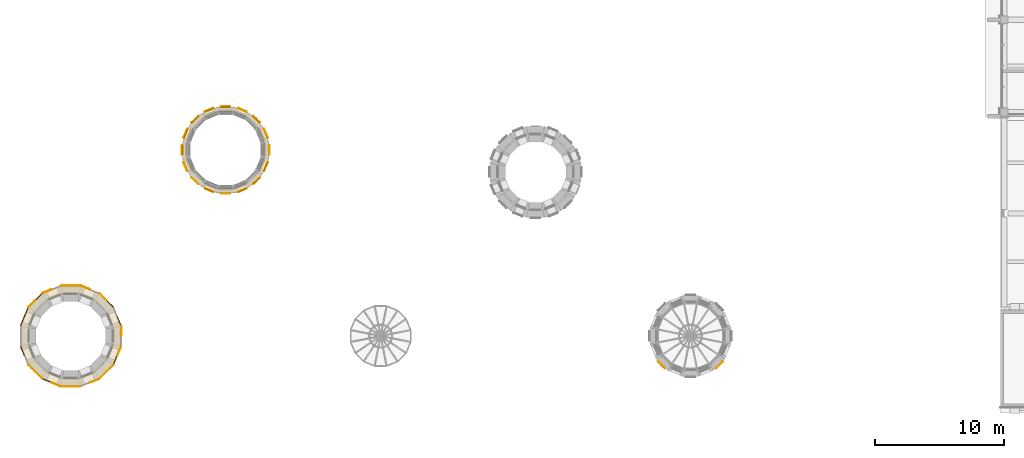
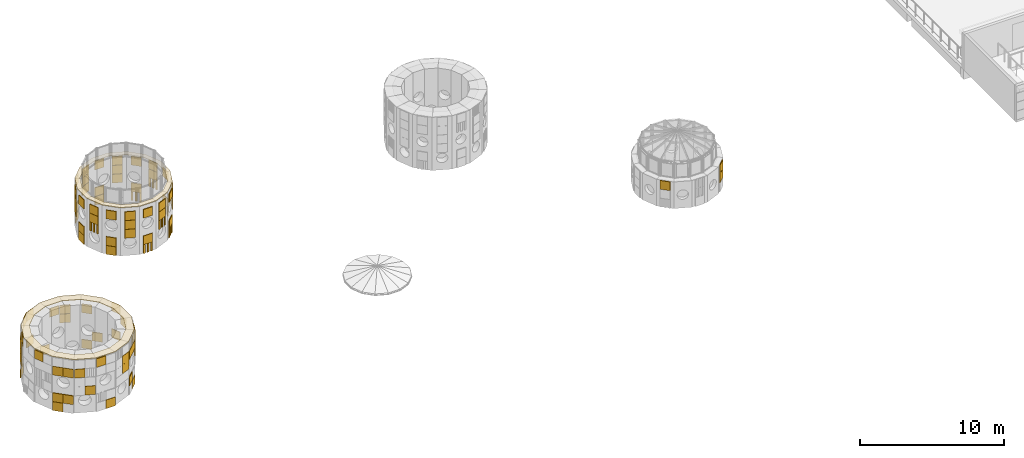
# One storey, part 35 of 42: 12 coverings.
"""IFC4 building model written with IfcOpenShell, lengths in metres."""

from ifc_helpers import new_model, si_unit, direction, frame, origin, origin_2d, place, context, subcontext, project, spatial, polyline, rectangle, outline, extrude, material, layer, layer_set, type_object, element, save


model = new_model("IFC4")

# Units and contexts
model_context = context("Model", 3, precision=1e-05, world=origin(), true_north=direction((0.0, 1.0)))
body_context = subcontext(model_context, "Body", "Model", "MODEL_VIEW")
ifc_project = project(units=[si_unit("LENGTHUNIT", "METRE"), si_unit("AREAUNIT", "SQUARE_METRE"), si_unit("VOLUMEUNIT", "CUBIC_METRE"), si_unit("PLANEANGLEUNIT", "RADIAN"), si_unit("MASSUNIT", "GRAM", prefix="KILO")], contexts=[model_context])

# Site, building, storey
site_placement = place(None, origin())
site = spatial("IfcSite", under=ifc_project, at=site_placement, CompositionType="ELEMENT")
building_placement = place(site_placement, origin())
building = spatial("IfcBuilding", under=site, at=building_placement, Name="Sun Court Science Centre", CompositionType="ELEMENT")
storey_placement = place(building_placement, frame((0.0, 0.0, 20.25)))
storey = spatial("IfcBuildingStorey", under=building, at=storey_placement, Name="L04", CompositionType="ELEMENT", Elevation=20.25)

# Coverings
ifc_material_1 = material(Name="Red sandstone", Category="masonry")
ifc_layer_1 = layer(ifc_material_1, 0.050048828125)
ifc_layer_set_1 = layer_set([ifc_layer_1], Name="Red sandstone")
covering_type_1 = type_object("IfcCoveringType", Name="Red sandstone coping 50", PredefinedType="CLADDING", material=ifc_layer_set_1)
covering_1_placement = place(storey_placement, frame((0.0, 0.0, 4.199951171875)))
element("IfcCovering", 1, at=covering_1_placement, inside=storey, type_object=covering_type_1, Name="Sandstone coping of drum ledge cone 1 5", PredefinedType="CLADDING", context=body_context, shape_type="SweptSolid", body=[
    extrude(outline(polyline([(9.8740234375, 12.2705078125), (9.284423828125, 13.694580078125), (8.194580078125, 14.784423828125), (6.7705078125, 15.3740234375), (5.2294921875, 15.3740234375), (3.805419921875, 14.784423828125), (2.715576171875, 13.694580078125), (2.1259765625, 12.2705078125), (2.1259765625, 10.7294921875), (2.715576171875, 9.305419921875), (3.805419921875, 8.215576171875), (5.2294921875, 7.6259765625), (6.7705078125, 7.6259765625), (8.194580078125, 8.215576171875), (9.284423828125, 9.305419921875), (9.8740234375, 10.7294921875), (9.8740234375, 12.2705078125)]), holes=[polyline([(9.28564453125, 12.153564453125), (8.785400390625, 13.361083984375), (7.861083984375, 14.285400390625), (6.653564453125, 14.78564453125), (5.346435546875, 14.78564453125), (4.138916015625, 14.285400390625), (3.214599609375, 13.361083984375), (2.71435546875, 12.153564453125), (2.71435546875, 10.846435546875), (3.214599609375, 9.638916015625), (4.138916015625, 8.714599609375), (5.346435546875, 8.21435546875), (6.653564453125, 8.21435546875), (7.861083984375, 8.714599609375), (8.785400390625, 9.638916015625), (9.28564453125, 10.846435546875), (9.28564453125, 12.153564453125)])]), origin(), (0.0, 0.0, 1.0), 0.050048828125),
])
covering_2_placement = place(storey_placement, frame((0.0, 0.0, 3.75)))
element("IfcCovering", 2, at=covering_2_placement, inside=storey, type_object=covering_type_1, Name="Sandstone coping of drum top cone 2", PredefinedType="CLADDING", context=body_context, shape_type="SweptSolid", body=[
    extrude(outline(polyline([(21.334716796875, 26.563232421875), (20.826904296875, 27.788818359375), (19.888916015625, 28.72705078125), (18.663330078125, 29.234619140625), (17.336669921875, 29.234619140625), (16.111083984375, 28.72705078125), (15.173095703125, 27.788818359375), (14.665283203125, 26.563232421875), (14.665283203125, 25.236572265625), (15.173095703125, 24.010986328125), (16.111083984375, 23.072998046875), (17.336669921875, 22.5654296875), (18.663330078125, 22.5654296875), (19.888916015625, 23.072998046875), (20.826904296875, 24.010986328125), (21.334716796875, 25.236572265625), (21.334716796875, 26.563232421875)]), holes=[polyline([(20.97998046875, 26.49267578125), (20.526123046875, 27.587890625), (19.68798828125, 28.42626953125), (18.5927734375, 28.8798828125), (17.4072265625, 28.8798828125), (16.31201171875, 28.42626953125), (15.473876953125, 27.587890625), (15.02001953125, 26.49267578125), (15.02001953125, 25.307373046875), (15.473876953125, 24.212158203125), (16.31201171875, 23.373779296875), (17.4072265625, 22.920166015625), (18.5927734375, 22.920166015625), (19.68798828125, 23.373779296875), (20.526123046875, 24.212158203125), (20.97998046875, 25.307373046875), (20.97998046875, 26.49267578125)])]), origin(), (0.0, 0.0, 1.0), 0.050048828125),
])
ifc_material_2 = material(Name="Terracotta jali", Category="masonry")
ifc_layer_2 = layer(ifc_material_2, 0.06005859375)
ifc_layer_set_2 = layer_set([ifc_layer_2], Name="Terracotta jali")
covering_type_2 = type_object("IfcCoveringType", Name="Terracotta open jali panel", PredefinedType="CLADDING", material=ifc_layer_set_2)
covering_3_placement = place(storey_placement, frame((0.0, 0.0, -20.25)))
element("IfcCovering", 3, at=covering_3_placement, inside=storey, type_object=covering_type_2, Name="Open jali pixel cladding cone 2 L04", PredefinedType="CLADDING", context=body_context, shape_type="SweptSolid", body=[
    extrude(rectangle(XDim=0.139892578125, YDim=0.06005859375, at=origin_2d()), frame((20.99365234375, 27.46484375, 21.455078125), z_axis=(0.0, 0.0, 1.0), x_axis=(0.382683432365, -0.923879532511, 0.0)), (0.0, 0.0, 1.0), 0.739990234375),
    extrude(rectangle(XDim=0.139892578125, YDim=0.06005859375, at=origin_2d()), frame((21.108642578125, 27.1875, 21.455078125), z_axis=(0.0, 0.0, 1.0), x_axis=(0.382683432365, -0.923879532511, 0.0)), (0.0, 0.0, 1.0), 0.739990234375),
    extrude(rectangle(XDim=0.139892578125, YDim=0.06005859375, at=origin_2d()), frame((21.223388671875, 26.910400390625, 21.455078125), z_axis=(0.0, 0.0, 1.0), x_axis=(0.382683432365, -0.923879532511, 0.0)), (0.0, 0.0, 1.0), 0.739990234375),
    extrude(rectangle(XDim=0.139892578125, YDim=0.06005859375, at=origin_2d()), frame((20.1669921875, 28.4912109375, 19.955078125), z_axis=(0.0, 0.0, 1.0), x_axis=(0.707106781187, -0.707106781187, 0.0)), (0.0, 0.0, 1.0), 0.739990234375),
    extrude(rectangle(XDim=0.139892578125, YDim=0.06005859375, at=origin_2d()), frame((20.379150390625, 28.279296875, 19.955078125), z_axis=(0.0, 0.0, 1.0), x_axis=(0.707106781187, -0.707106781187, 0.0)), (0.0, 0.0, 1.0), 0.739990234375),
    extrude(rectangle(XDim=0.139892578125, YDim=0.06005859375, at=origin_2d()), frame((20.59130859375, 28.067138671875, 19.955078125), z_axis=(0.0, 0.0, 1.0), x_axis=(0.707106781187, -0.707106781187, 0.0)), (0.0, 0.0, 1.0), 0.739990234375),
    extrude(rectangle(XDim=0.139892578125, YDim=0.06005859375, at=origin_2d()), frame((15.00634765625, 24.335205078125, 21.455078125), z_axis=(0.0, 0.0, 1.0), x_axis=(-0.382683432365, 0.923879532511, 0.0)), (0.0, 0.0, 1.0), 0.739990234375),
    extrude(rectangle(XDim=0.139892578125, YDim=0.06005859375, at=origin_2d()), frame((14.891357421875, 24.6123046875, 21.455078125), z_axis=(0.0, 0.0, 1.0), x_axis=(-0.382683432365, 0.923879532511, 0.0)), (0.0, 0.0, 1.0), 0.739990234375),
    extrude(rectangle(XDim=0.139892578125, YDim=0.06005859375, at=origin_2d()), frame((14.776611328125, 24.8896484375, 21.455078125), z_axis=(0.0, 0.0, 1.0), x_axis=(-0.382683432365, 0.923879532511, 0.0)), (0.0, 0.0, 1.0), 0.739990234375),
    extrude(rectangle(XDim=0.139892578125, YDim=0.06005859375, at=origin_2d()), frame((18.300048828125, 22.535400390625, 19.955078125), z_axis=(0.0, 0.0, 1.0), x_axis=(-1.0, 0.0, 0.0)), (0.0, 0.0, 1.0), 0.739990234375),
    extrude(rectangle(XDim=0.139892578125, YDim=0.06005859375, at=origin_2d()), frame((18.0, 22.535400390625, 19.955078125), z_axis=(0.0, 0.0, 1.0), x_axis=(-1.0, 0.0, 0.0)), (0.0, 0.0, 1.0), 0.739990234375),
    extrude(rectangle(XDim=0.139892578125, YDim=0.06005859375, at=origin_2d()), frame((17.699951171875, 22.535400390625, 19.955078125), z_axis=(0.0, 0.0, 1.0), x_axis=(-1.0, 0.0, 0.0)), (0.0, 0.0, 1.0), 0.739990234375),
    extrude(rectangle(XDim=0.139892578125, YDim=0.06005859375, at=origin_2d()), frame((19.564697265625, 22.90625, 21.455078125), z_axis=(0.0, 0.0, 1.0), x_axis=(-0.923879532511, -0.382683432365, 0.0)), (0.0, 0.0, 1.0), 0.739990234375),
    extrude(rectangle(XDim=0.139892578125, YDim=0.06005859375, at=origin_2d()), frame((19.28759765625, 22.79150390625, 21.455078125), z_axis=(0.0, 0.0, 1.0), x_axis=(-0.923879532511, -0.382683432365, 0.0)), (0.0, 0.0, 1.0), 0.739990234375),
    extrude(rectangle(XDim=0.139892578125, YDim=0.06005859375, at=origin_2d()), frame((19.010498046875, 22.6767578125, 21.455078125), z_axis=(0.0, 0.0, 1.0), x_axis=(-0.923879532511, -0.382683432365, 0.0)), (0.0, 0.0, 1.0), 0.739990234375),
    extrude(rectangle(XDim=0.139892578125, YDim=0.06005859375, at=origin_2d()), frame((20.59130859375, 23.73291015625, 19.955078125), z_axis=(0.0, 0.0, 1.0), x_axis=(-0.707106781187, -0.707106781187, 0.0)), (0.0, 0.0, 1.0), 0.739990234375),
    extrude(rectangle(XDim=0.139892578125, YDim=0.06005859375, at=origin_2d()), frame((20.379150390625, 23.520751953125, 19.955078125), z_axis=(0.0, 0.0, 1.0), x_axis=(-0.707106781187, -0.707106781187, 0.0)), (0.0, 0.0, 1.0), 0.739990234375),
    extrude(rectangle(XDim=0.139892578125, YDim=0.06005859375, at=origin_2d()), frame((20.1669921875, 23.30859375, 19.955078125), z_axis=(0.0, 0.0, 1.0), x_axis=(-0.707106781187, -0.707106781187, 0.0)), (0.0, 0.0, 1.0), 0.739990234375),
    extrude(rectangle(XDim=0.139892578125, YDim=0.06005859375, at=origin_2d()), frame((21.36474609375, 26.199951171875, 19.955078125), z_axis=(0.0, 0.0, 1.0), x_axis=(0.0, -1.0, 0.0)), (0.0, 0.0, 1.0), 0.739990234375),
    extrude(rectangle(XDim=0.139892578125, YDim=0.06005859375, at=origin_2d()), frame((21.36474609375, 25.89990234375, 19.955078125), z_axis=(0.0, 0.0, 1.0), x_axis=(0.0, -1.0, 0.0)), (0.0, 0.0, 1.0), 0.739990234375),
    extrude(rectangle(XDim=0.139892578125, YDim=0.06005859375, at=origin_2d()), frame((21.36474609375, 25.60009765625, 19.955078125), z_axis=(0.0, 0.0, 1.0), x_axis=(0.0, -1.0, 0.0)), (0.0, 0.0, 1.0), 0.739990234375),
])
ifc_material_3 = material(Name="Terracotta shade 1", Category="masonry")
ifc_layer_3 = layer(ifc_material_3, 0.06005859375)
ifc_layer_set_3 = layer_set([ifc_layer_3], Name="Terracotta shade 1")
covering_type_3 = type_object("IfcCoveringType", Name="Terracotta pixel panel shade 1", PredefinedType="CLADDING", material=ifc_layer_set_3)
covering_4_placement = place(storey_placement, frame((0.0, 0.0, -20.25)))
element("IfcCovering", 4, at=covering_4_placement, inside=storey, type_object=covering_type_3, Name="Terracotta pixel cladding shade 1 cone 2 L04", PredefinedType="CLADDING", context=body_context, shape_type="SweptSolid", body=[
    extrude(rectangle(XDim=0.739990234375, YDim=0.06005859375, at=origin_2d()), frame((20.379150390625, 28.279296875, 22.955078125), z_axis=(0.0, 0.0, 1.0), x_axis=(0.707106781187, -0.707106781187, 0.0)), (0.0, 0.0, 1.0), 0.739990234375),
    extrude(rectangle(XDim=0.739990234375, YDim=0.06005859375, at=origin_2d()), frame((18.0, 29.2646484375, 19.955078125), z_axis=(0.0, 0.0, 1.0), x_axis=(1.0, 0.0, 0.0)), (0.0, 0.0, 1.0), 0.739990234375),
    extrude(rectangle(XDim=0.739990234375, YDim=0.06005859375, at=origin_2d()), frame((16.71240234375, 29.008544921875, 22.205078125), z_axis=(0.0, 0.0, 1.0), x_axis=(0.923879532511, 0.382683432365, 0.0)), (0.0, 0.0, 1.0), 0.739990234375),
    extrude(rectangle(XDim=0.739990234375, YDim=0.06005859375, at=origin_2d()), frame((16.71240234375, 29.008544921875, 22.955078125), z_axis=(0.0, 0.0, 1.0), x_axis=(0.923879532511, 0.382683432365, 0.0)), (0.0, 0.0, 1.0), 0.739990234375),
    extrude(rectangle(XDim=0.739990234375, YDim=0.06005859375, at=origin_2d()), frame((15.620849609375, 28.279296875, 19.955078125), z_axis=(0.0, 0.0, 1.0), x_axis=(0.707106781187, 0.707106781187, 0.0)), (0.0, 0.0, 1.0), 0.739990234375),
    extrude(rectangle(XDim=0.739990234375, YDim=0.06005859375, at=origin_2d()), frame((14.891357421875, 27.1875, 21.455078125), z_axis=(0.0, 0.0, 1.0), x_axis=(0.382683432365, 0.923879532511, 0.0)), (0.0, 0.0, 1.0), 0.739990234375),
    extrude(rectangle(XDim=0.739990234375, YDim=0.06005859375, at=origin_2d()), frame((14.891357421875, 27.1875, 22.205078125), z_axis=(0.0, 0.0, 1.0), x_axis=(0.382683432365, 0.923879532511, 0.0)), (0.0, 0.0, 1.0), 0.739990234375),
    extrude(rectangle(XDim=0.739990234375, YDim=0.06005859375, at=origin_2d()), frame((14.63525390625, 25.89990234375, 20.705078125), z_axis=(0.0, 0.0, 1.0), x_axis=(0.0, 1.0, 0.0)), (0.0, 0.0, 1.0), 0.739990234375),
    extrude(rectangle(XDim=0.739990234375, YDim=0.06005859375, at=origin_2d()), frame((16.71240234375, 22.79150390625, 22.955078125), z_axis=(0.0, 0.0, 1.0), x_axis=(-0.923879532511, 0.382683432365, 0.0)), (0.0, 0.0, 1.0), 0.739990234375),
    extrude(rectangle(XDim=0.739990234375, YDim=0.06005859375, at=origin_2d()), frame((19.28759765625, 22.79150390625, 22.955078125), z_axis=(0.0, 0.0, 1.0), x_axis=(-0.923879532511, -0.382683432365, 0.0)), (0.0, 0.0, 1.0), 0.739990234375),
    extrude(rectangle(XDim=0.739990234375, YDim=0.06005859375, at=origin_2d()), frame((20.379150390625, 23.520751953125, 20.705078125), z_axis=(0.0, 0.0, 1.0), x_axis=(-0.707106781187, -0.707106781187, 0.0)), (0.0, 0.0, 1.0), 0.739990234375),
    extrude(rectangle(XDim=0.739990234375, YDim=0.06005859375, at=origin_2d()), frame((21.108642578125, 24.6123046875, 22.955078125), z_axis=(0.0, 0.0, 1.0), x_axis=(-0.382683432365, -0.923879532511, 0.0)), (0.0, 0.0, 1.0), 0.739990234375),
    extrude(rectangle(XDim=0.739990234375, YDim=0.06005859375, at=origin_2d()), frame((18.0, 29.2646484375, 22.955078125), z_axis=(0.0, 0.0, 1.0), x_axis=(1.0, 0.0, 0.0)), (0.0, 0.0, 1.0), 0.739990234375),
])
covering_5_placement = place(storey_placement, frame((0.0, 0.0, -20.25)))
element("IfcCovering", 5, at=covering_5_placement, inside=storey, type_object=covering_type_3, Name="Terracotta pixel cladding shade 1 cone 5 L04", PredefinedType="CLADDING", context=body_context, shape_type="SweptSolid", body=[
    extrude(rectangle(XDim=0.739990234375, YDim=0.06005859375, at=origin_2d()), frame((51.759521484375, 9.259521484375, 21.455078125), z_axis=(0.0, 0.0, 1.0), x_axis=(-0.707106781187, 0.707106781187, 0.0)), (0.0, 0.0, 1.0), 0.739990234375),
    extrude(rectangle(XDim=0.739990234375, YDim=0.06005859375, at=origin_2d()), frame((56.240478515625, 9.259521484375, 20.705078125), z_axis=(0.0, 0.0, 1.0), x_axis=(-0.707106781187, -0.707106781187, 0.0)), (0.0, 0.0, 1.0), 0.739990234375),
    extrude(rectangle(XDim=0.739990234375, YDim=0.06005859375, at=origin_2d()), frame((56.240478515625, 9.259521484375, 21.455078125), z_axis=(0.0, 0.0, 1.0), x_axis=(-0.707106781187, -0.707106781187, 0.0)), (0.0, 0.0, 1.0), 0.739990234375),
])
ifc_material_4 = material(Name="Terracotta shade 2", Category="masonry")
ifc_layer_4 = layer(ifc_material_4, 0.06005859375)
ifc_layer_set_4 = layer_set([ifc_layer_4], Name="Terracotta shade 2")
covering_type_4 = type_object("IfcCoveringType", Name="Terracotta pixel panel shade 2", PredefinedType="CLADDING", material=ifc_layer_set_4)
covering_6_placement = place(storey_placement, frame((0.0, 0.0, -20.25)))
element("IfcCovering", 6, at=covering_6_placement, inside=storey, type_object=covering_type_4, Name="Terracotta pixel cladding shade 2 cone 2 L04", PredefinedType="CLADDING", context=body_context, shape_type="SweptSolid", body=[
    extrude(rectangle(XDim=0.739990234375, YDim=0.06005859375, at=origin_2d()), frame((21.108642578125, 27.1875, 22.955078125), z_axis=(0.0, 0.0, 1.0), x_axis=(0.382683432365, -0.923879532511, 0.0)), (0.0, 0.0, 1.0), 0.739990234375),
    extrude(rectangle(XDim=0.739990234375, YDim=0.06005859375, at=origin_2d()), frame((19.28759765625, 29.008544921875, 22.955078125), z_axis=(0.0, 0.0, 1.0), x_axis=(0.923879532511, -0.382683432365, 0.0)), (0.0, 0.0, 1.0), 0.739990234375),
    extrude(rectangle(XDim=0.739990234375, YDim=0.06005859375, at=origin_2d()), frame((15.620849609375, 28.279296875, 20.705078125), z_axis=(0.0, 0.0, 1.0), x_axis=(0.707106781187, 0.707106781187, 0.0)), (0.0, 0.0, 1.0), 0.739990234375),
    extrude(rectangle(XDim=0.739990234375, YDim=0.06005859375, at=origin_2d()), frame((14.63525390625, 25.89990234375, 19.955078125), z_axis=(0.0, 0.0, 1.0), x_axis=(0.0, 1.0, 0.0)), (0.0, 0.0, 1.0), 0.739990234375),
    extrude(rectangle(XDim=0.739990234375, YDim=0.06005859375, at=origin_2d()), frame((14.63525390625, 25.89990234375, 22.955078125), z_axis=(0.0, 0.0, 1.0), x_axis=(0.0, 1.0, 0.0)), (0.0, 0.0, 1.0), 0.739990234375),
    extrude(rectangle(XDim=0.739990234375, YDim=0.06005859375, at=origin_2d()), frame((14.891357421875, 24.6123046875, 22.955078125), z_axis=(0.0, 0.0, 1.0), x_axis=(-0.382683432365, 0.923879532511, 0.0)), (0.0, 0.0, 1.0), 0.739990234375),
    extrude(rectangle(XDim=0.739990234375, YDim=0.06005859375, at=origin_2d()), frame((15.620849609375, 23.520751953125, 20.705078125), z_axis=(0.0, 0.0, 1.0), x_axis=(-0.707106781187, 0.707106781187, 0.0)), (0.0, 0.0, 1.0), 0.739990234375),
    extrude(rectangle(XDim=0.739990234375, YDim=0.06005859375, at=origin_2d()), frame((15.620849609375, 23.520751953125, 22.955078125), z_axis=(0.0, 0.0, 1.0), x_axis=(-0.707106781187, 0.707106781187, 0.0)), (0.0, 0.0, 1.0), 0.739990234375),
    extrude(rectangle(XDim=0.739990234375, YDim=0.06005859375, at=origin_2d()), frame((18.0, 22.535400390625, 22.955078125), z_axis=(0.0, 0.0, 1.0), x_axis=(-1.0, 0.0, 0.0)), (0.0, 0.0, 1.0), 0.739990234375),
])
ifc_material_5 = material(Name="Terracotta shade 3", Category="masonry")
ifc_layer_5 = layer(ifc_material_5, 0.06005859375)
ifc_layer_set_5 = layer_set([ifc_layer_5], Name="Terracotta shade 3")
covering_type_5 = type_object("IfcCoveringType", Name="Terracotta pixel panel shade 3", PredefinedType="CLADDING", material=ifc_layer_set_5)
covering_7_placement = place(storey_placement, frame((0.0, 0.0, -20.25)))
element("IfcCovering", 7, at=covering_7_placement, inside=storey, type_object=covering_type_5, Name="Terracotta pixel cladding shade 3 cone 1 L04", PredefinedType="CLADDING", context=body_context, shape_type="SweptSolid", body=[
    extrude(rectangle(XDim=0.739990234375, YDim=0.06005859375, at=origin_2d()), frame((9.75048828125, 12.6474609375, 21.455078125), z_axis=(0.0, 0.0, 1.0), x_axis=(0.382683432365, -0.923879532511, 0.0)), (0.0, 0.0, 1.0), 0.739990234375),
    extrude(rectangle(XDim=0.739990234375, YDim=0.06005859375, at=origin_2d()), frame((9.75048828125, 12.6474609375, 23.705078125), z_axis=(0.0, 0.0, 1.0), x_axis=(0.382683432365, -0.923879532511, 0.0)), (0.0, 0.0, 1.0), 0.739990234375),
    extrude(rectangle(XDim=0.739990234375, YDim=0.06005859375, at=origin_2d()), frame((9.02587890625, 13.995361328125, 20.705078125), z_axis=(0.0, 0.0, 1.0), x_axis=(0.707106781187, -0.707106781187, 0.0)), (0.0, 0.0, 1.0), 0.739990234375),
    extrude(rectangle(XDim=0.739990234375, YDim=0.06005859375, at=origin_2d()), frame((8.495361328125, 14.52587890625, 22.955078125), z_axis=(0.0, 0.0, 1.0), x_axis=(0.707106781187, -0.707106781187, 0.0)), (0.0, 0.0, 1.0), 0.739990234375),
    extrude(rectangle(XDim=0.739990234375, YDim=0.06005859375, at=origin_2d()), frame((7.1474609375, 15.25048828125, 22.205078125), z_axis=(0.0, 0.0, 1.0), x_axis=(0.923879532511, -0.382683432365, 0.0)), (0.0, 0.0, 1.0), 0.739990234375),
    extrude(rectangle(XDim=0.739990234375, YDim=0.06005859375, at=origin_2d()), frame((2.97412109375, 13.995361328125, 19.955078125), z_axis=(0.0, 0.0, 1.0), x_axis=(0.707106781187, 0.707106781187, 0.0)), (0.0, 0.0, 1.0), 0.739990234375),
    extrude(rectangle(XDim=0.739990234375, YDim=0.06005859375, at=origin_2d()), frame((3.504638671875, 14.52587890625, 23.705078125), z_axis=(0.0, 0.0, 1.0), x_axis=(0.707106781187, 0.707106781187, 0.0)), (0.0, 0.0, 1.0), 0.739990234375),
    extrude(rectangle(XDim=0.739990234375, YDim=0.06005859375, at=origin_2d()), frame((2.53662109375, 13.340576171875, 21.455078125), z_axis=(0.0, 0.0, 1.0), x_axis=(0.382683432365, 0.923879532511, 0.0)), (0.0, 0.0, 1.0), 0.739990234375),
    extrude(rectangle(XDim=0.739990234375, YDim=0.06005859375, at=origin_2d()), frame((2.53662109375, 13.340576171875, 22.205078125), z_axis=(0.0, 0.0, 1.0), x_axis=(0.382683432365, 0.923879532511, 0.0)), (0.0, 0.0, 1.0), 0.739990234375),
    extrude(rectangle(XDim=0.739990234375, YDim=0.06005859375, at=origin_2d()), frame((2.53662109375, 13.340576171875, 22.955078125), z_axis=(0.0, 0.0, 1.0), x_axis=(0.382683432365, 0.923879532511, 0.0)), (0.0, 0.0, 1.0), 0.739990234375),
    extrude(rectangle(XDim=0.739990234375, YDim=0.06005859375, at=origin_2d()), frame((2.24951171875, 12.6474609375, 23.705078125), z_axis=(0.0, 0.0, 1.0), x_axis=(0.382683432365, 0.923879532511, 0.0)), (0.0, 0.0, 1.0), 0.739990234375),
    extrude(rectangle(XDim=0.739990234375, YDim=0.06005859375, at=origin_2d()), frame((2.24951171875, 10.3525390625, 23.705078125), z_axis=(0.0, 0.0, 1.0), x_axis=(-0.382683432365, 0.923879532511, 0.0)), (0.0, 0.0, 1.0), 0.739990234375),
    extrude(rectangle(XDim=0.739990234375, YDim=0.06005859375, at=origin_2d()), frame((2.97412109375, 9.004638671875, 20.705078125), z_axis=(0.0, 0.0, 1.0), x_axis=(-0.707106781187, 0.707106781187, 0.0)), (0.0, 0.0, 1.0), 0.739990234375),
    extrude(rectangle(XDim=0.739990234375, YDim=0.06005859375, at=origin_2d()), frame((2.97412109375, 9.004638671875, 22.955078125), z_axis=(0.0, 0.0, 1.0), x_axis=(-0.707106781187, 0.707106781187, 0.0)), (0.0, 0.0, 1.0), 0.739990234375),
    extrude(rectangle(XDim=0.739990234375, YDim=0.06005859375, at=origin_2d()), frame((4.159423828125, 8.03662109375, 22.955078125), z_axis=(0.0, 0.0, 1.0), x_axis=(-0.923879532511, 0.382683432365, 0.0)), (0.0, 0.0, 1.0), 0.739990234375),
    extrude(rectangle(XDim=0.739990234375, YDim=0.06005859375, at=origin_2d()), frame((8.495361328125, 8.47412109375, 20.705078125), z_axis=(0.0, 0.0, 1.0), x_axis=(-0.707106781187, -0.707106781187, 0.0)), (0.0, 0.0, 1.0), 0.739990234375),
    extrude(rectangle(XDim=0.739990234375, YDim=0.06005859375, at=origin_2d()), frame((9.46337890625, 9.659423828125, 22.205078125), z_axis=(0.0, 0.0, 1.0), x_axis=(-0.382683432365, -0.923879532511, 0.0)), (0.0, 0.0, 1.0), 0.739990234375),
    extrude(rectangle(XDim=0.739990234375, YDim=0.06005859375, at=origin_2d()), frame((9.46337890625, 9.659423828125, 22.955078125), z_axis=(0.0, 0.0, 1.0), x_axis=(-0.382683432365, -0.923879532511, 0.0)), (0.0, 0.0, 1.0), 0.739990234375),
    extrude(rectangle(XDim=0.739990234375, YDim=0.06005859375, at=origin_2d()), frame((9.46337890625, 9.659423828125, 23.705078125), z_axis=(0.0, 0.0, 1.0), x_axis=(-0.382683432365, -0.923879532511, 0.0)), (0.0, 0.0, 1.0), 0.739990234375),
])
covering_8_placement = place(storey_placement, frame((0.0, 0.0, -20.25)))
element("IfcCovering", 8, at=covering_8_placement, inside=storey, type_object=covering_type_5, Name="Terracotta pixel cladding shade 3 cone 2 L04", PredefinedType="CLADDING", context=body_context, shape_type="SweptSolid", body=[
    extrude(rectangle(XDim=0.739990234375, YDim=0.06005859375, at=origin_2d()), frame((20.379150390625, 28.279296875, 20.705078125), z_axis=(0.0, 0.0, 1.0), x_axis=(0.707106781187, -0.707106781187, 0.0)), (0.0, 0.0, 1.0), 0.739990234375),
    extrude(rectangle(XDim=0.739990234375, YDim=0.06005859375, at=origin_2d()), frame((19.28759765625, 29.008544921875, 22.205078125), z_axis=(0.0, 0.0, 1.0), x_axis=(0.923879532511, -0.382683432365, 0.0)), (0.0, 0.0, 1.0), 0.739990234375),
    extrude(rectangle(XDim=0.739990234375, YDim=0.06005859375, at=origin_2d()), frame((18.0, 29.2646484375, 20.705078125), z_axis=(0.0, 0.0, 1.0), x_axis=(1.0, 0.0, 0.0)), (0.0, 0.0, 1.0), 0.739990234375),
    extrude(rectangle(XDim=0.739990234375, YDim=0.06005859375, at=origin_2d()), frame((14.891357421875, 27.1875, 22.955078125), z_axis=(0.0, 0.0, 1.0), x_axis=(0.382683432365, 0.923879532511, 0.0)), (0.0, 0.0, 1.0), 0.739990234375),
    extrude(rectangle(XDim=0.739990234375, YDim=0.06005859375, at=origin_2d()), frame((15.620849609375, 23.520751953125, 19.955078125), z_axis=(0.0, 0.0, 1.0), x_axis=(-0.707106781187, 0.707106781187, 0.0)), (0.0, 0.0, 1.0), 0.739990234375),
    extrude(rectangle(XDim=0.739990234375, YDim=0.06005859375, at=origin_2d()), frame((19.28759765625, 22.79150390625, 22.205078125), z_axis=(0.0, 0.0, 1.0), x_axis=(-0.923879532511, -0.382683432365, 0.0)), (0.0, 0.0, 1.0), 0.739990234375),
    extrude(rectangle(XDim=0.739990234375, YDim=0.06005859375, at=origin_2d()), frame((21.108642578125, 24.6123046875, 21.455078125), z_axis=(0.0, 0.0, 1.0), x_axis=(-0.382683432365, -0.923879532511, 0.0)), (0.0, 0.0, 1.0), 0.739990234375),
    extrude(rectangle(XDim=0.739990234375, YDim=0.06005859375, at=origin_2d()), frame((21.36474609375, 25.89990234375, 20.705078125), z_axis=(0.0, 0.0, 1.0), x_axis=(0.0, -1.0, 0.0)), (0.0, 0.0, 1.0), 0.739990234375),
])
ifc_material_6 = material(Name="Terracotta shade 4", Category="masonry")
ifc_layer_6 = layer(ifc_material_6, 0.06005859375)
ifc_layer_set_6 = layer_set([ifc_layer_6], Name="Terracotta shade 4")
covering_type_6 = type_object("IfcCoveringType", Name="Terracotta pixel panel shade 4", PredefinedType="CLADDING", material=ifc_layer_set_6)
covering_9_placement = place(storey_placement, frame((0.0, 0.0, -20.25)))
element("IfcCovering", 9, at=covering_9_placement, inside=storey, type_object=covering_type_6, Name="Terracotta pixel cladding shade 4 cone 1 L04", PredefinedType="CLADDING", context=body_context, shape_type="SweptSolid", body=[
    extrude(rectangle(XDim=0.739990234375, YDim=0.06005859375, at=origin_2d()), frame((8.495361328125, 14.52587890625, 19.955078125), z_axis=(0.0, 0.0, 1.0), x_axis=(0.707106781187, -0.707106781187, 0.0)), (0.0, 0.0, 1.0), 0.739990234375),
    extrude(rectangle(XDim=0.739990234375, YDim=0.06005859375, at=origin_2d()), frame((2.97412109375, 13.995361328125, 22.955078125), z_axis=(0.0, 0.0, 1.0), x_axis=(0.707106781187, 0.707106781187, 0.0)), (0.0, 0.0, 1.0), 0.739990234375),
    extrude(rectangle(XDim=0.739990234375, YDim=0.06005859375, at=origin_2d()), frame((3.504638671875, 8.47412109375, 20.705078125), z_axis=(0.0, 0.0, 1.0), x_axis=(-0.707106781187, 0.707106781187, 0.0)), (0.0, 0.0, 1.0), 0.739990234375),
    extrude(rectangle(XDim=0.739990234375, YDim=0.06005859375, at=origin_2d()), frame((6.375, 7.595947265625, 19.955078125), z_axis=(0.0, 0.0, 1.0), x_axis=(-1.0, 0.0, 0.0)), (0.0, 0.0, 1.0), 0.739990234375),
    extrude(rectangle(XDim=0.739990234375, YDim=0.06005859375, at=origin_2d()), frame((7.840576171875, 8.03662109375, 22.205078125), z_axis=(0.0, 0.0, 1.0), x_axis=(-0.923879532511, -0.382683432365, 0.0)), (0.0, 0.0, 1.0), 0.739990234375),
    extrude(rectangle(XDim=0.739990234375, YDim=0.06005859375, at=origin_2d()), frame((7.840576171875, 8.03662109375, 22.955078125), z_axis=(0.0, 0.0, 1.0), x_axis=(-0.923879532511, -0.382683432365, 0.0)), (0.0, 0.0, 1.0), 0.739990234375),
    extrude(rectangle(XDim=0.739990234375, YDim=0.06005859375, at=origin_2d()), frame((9.75048828125, 10.3525390625, 22.205078125), z_axis=(0.0, 0.0, 1.0), x_axis=(-0.382683432365, -0.923879532511, 0.0)), (0.0, 0.0, 1.0), 0.739990234375),
    extrude(rectangle(XDim=0.739990234375, YDim=0.06005859375, at=origin_2d()), frame((9.904052734375, 11.875, 22.955078125), z_axis=(0.0, 0.0, 1.0), x_axis=(0.0, -1.0, 0.0)), (0.0, 0.0, 1.0), 0.739990234375),
    extrude(rectangle(XDim=0.739990234375, YDim=0.06005859375, at=origin_2d()), frame((5.625, 7.595947265625, 23.705078125), z_axis=(0.0, 0.0, 1.0), x_axis=(-1.0, 0.0, 0.0)), (0.0, 0.0, 1.0), 0.739990234375),
])
covering_10_placement = place(storey_placement, frame((0.0, 0.0, -20.25)))
element("IfcCovering", 10, at=covering_10_placement, inside=storey, type_object=covering_type_6, Name="Terracotta pixel cladding shade 4 cone 2 L04", PredefinedType="CLADDING", context=body_context, shape_type="SweptSolid", body=[
    extrude(rectangle(XDim=0.739990234375, YDim=0.06005859375, at=origin_2d()), frame((21.108642578125, 27.1875, 22.205078125), z_axis=(0.0, 0.0, 1.0), x_axis=(0.382683432365, -0.923879532511, 0.0)), (0.0, 0.0, 1.0), 0.739990234375),
    extrude(rectangle(XDim=0.739990234375, YDim=0.06005859375, at=origin_2d()), frame((15.620849609375, 28.279296875, 22.955078125), z_axis=(0.0, 0.0, 1.0), x_axis=(0.707106781187, 0.707106781187, 0.0)), (0.0, 0.0, 1.0), 0.739990234375),
    extrude(rectangle(XDim=0.739990234375, YDim=0.06005859375, at=origin_2d()), frame((14.891357421875, 24.6123046875, 22.205078125), z_axis=(0.0, 0.0, 1.0), x_axis=(-0.382683432365, 0.923879532511, 0.0)), (0.0, 0.0, 1.0), 0.739990234375),
    extrude(rectangle(XDim=0.739990234375, YDim=0.06005859375, at=origin_2d()), frame((16.71240234375, 22.79150390625, 21.455078125), z_axis=(0.0, 0.0, 1.0), x_axis=(-0.923879532511, 0.382683432365, 0.0)), (0.0, 0.0, 1.0), 0.739990234375),
    extrude(rectangle(XDim=0.739990234375, YDim=0.06005859375, at=origin_2d()), frame((21.108642578125, 24.6123046875, 22.205078125), z_axis=(0.0, 0.0, 1.0), x_axis=(-0.382683432365, -0.923879532511, 0.0)), (0.0, 0.0, 1.0), 0.739990234375),
    extrude(rectangle(XDim=0.739990234375, YDim=0.06005859375, at=origin_2d()), frame((21.36474609375, 25.89990234375, 22.955078125), z_axis=(0.0, 0.0, 1.0), x_axis=(0.0, -1.0, 0.0)), (0.0, 0.0, 1.0), 0.739990234375),
])
ifc_material_7 = material(Name="Terracotta shade 5", Category="masonry")
ifc_layer_7 = layer(ifc_material_7, 0.06005859375)
ifc_layer_set_7 = layer_set([ifc_layer_7], Name="Terracotta shade 5")
covering_type_7 = type_object("IfcCoveringType", Name="Terracotta pixel panel shade 5", PredefinedType="CLADDING", material=ifc_layer_set_7)
covering_11_placement = place(storey_placement, frame((0.0, 0.0, -20.25)))
element("IfcCovering", 11, at=covering_11_placement, inside=storey, type_object=covering_type_7, Name="Terracotta pixel cladding shade 5 cone 1 L04", PredefinedType="CLADDING", context=body_context, shape_type="SweptSolid", body=[
    extrude(rectangle(XDim=0.739990234375, YDim=0.06005859375, at=origin_2d()), frame((7.1474609375, 15.25048828125, 22.955078125), z_axis=(0.0, 0.0, 1.0), x_axis=(0.923879532511, -0.382683432365, 0.0)), (0.0, 0.0, 1.0), 0.739990234375),
    extrude(rectangle(XDim=0.739990234375, YDim=0.06005859375, at=origin_2d()), frame((5.625, 15.404052734375, 19.955078125), z_axis=(0.0, 0.0, 1.0), x_axis=(1.0, 0.0, 0.0)), (0.0, 0.0, 1.0), 0.739990234375),
    extrude(rectangle(XDim=0.739990234375, YDim=0.06005859375, at=origin_2d()), frame((6.375, 15.404052734375, 22.955078125), z_axis=(0.0, 0.0, 1.0), x_axis=(1.0, 0.0, 0.0)), (0.0, 0.0, 1.0), 0.739990234375),
    extrude(rectangle(XDim=0.739990234375, YDim=0.06005859375, at=origin_2d()), frame((4.159423828125, 14.96337890625, 21.455078125), z_axis=(0.0, 0.0, 1.0), x_axis=(0.923879532511, 0.382683432365, 0.0)), (0.0, 0.0, 1.0), 0.739990234375),
    extrude(rectangle(XDim=0.739990234375, YDim=0.06005859375, at=origin_2d()), frame((4.159423828125, 14.96337890625, 23.705078125), z_axis=(0.0, 0.0, 1.0), x_axis=(0.923879532511, 0.382683432365, 0.0)), (0.0, 0.0, 1.0), 0.739990234375),
    extrude(rectangle(XDim=0.739990234375, YDim=0.06005859375, at=origin_2d()), frame((2.97412109375, 9.004638671875, 19.955078125), z_axis=(0.0, 0.0, 1.0), x_axis=(-0.707106781187, 0.707106781187, 0.0)), (0.0, 0.0, 1.0), 0.739990234375),
    extrude(rectangle(XDim=0.739990234375, YDim=0.06005859375, at=origin_2d()), frame((3.504638671875, 8.47412109375, 22.955078125), z_axis=(0.0, 0.0, 1.0), x_axis=(-0.707106781187, 0.707106781187, 0.0)), (0.0, 0.0, 1.0), 0.739990234375),
    extrude(rectangle(XDim=0.739990234375, YDim=0.06005859375, at=origin_2d()), frame((4.8525390625, 7.74951171875, 21.455078125), z_axis=(0.0, 0.0, 1.0), x_axis=(-0.923879532511, 0.382683432365, 0.0)), (0.0, 0.0, 1.0), 0.739990234375),
    extrude(rectangle(XDim=0.739990234375, YDim=0.06005859375, at=origin_2d()), frame((9.02587890625, 9.004638671875, 19.955078125), z_axis=(0.0, 0.0, 1.0), x_axis=(-0.707106781187, -0.707106781187, 0.0)), (0.0, 0.0, 1.0), 0.739990234375),
    extrude(rectangle(XDim=0.739990234375, YDim=0.06005859375, at=origin_2d()), frame((9.02587890625, 9.004638671875, 22.955078125), z_axis=(0.0, 0.0, 1.0), x_axis=(-0.707106781187, -0.707106781187, 0.0)), (0.0, 0.0, 1.0), 0.739990234375),
    extrude(rectangle(XDim=0.739990234375, YDim=0.06005859375, at=origin_2d()), frame((8.495361328125, 8.47412109375, 22.955078125), z_axis=(0.0, 0.0, 1.0), x_axis=(-0.707106781187, -0.707106781187, 0.0)), (0.0, 0.0, 1.0), 0.739990234375),
])
covering_12_placement = place(storey_placement, frame((0.0, 0.0, -20.25)))
element("IfcCovering", 12, at=covering_12_placement, inside=storey, type_object=covering_type_7, Name="Terracotta pixel cladding shade 5 cone 2 L04", PredefinedType="CLADDING", context=body_context, shape_type="SweptSolid", body=[
    extrude(rectangle(XDim=0.739990234375, YDim=0.06005859375, at=origin_2d()), frame((19.28759765625, 29.008544921875, 21.455078125), z_axis=(0.0, 0.0, 1.0), x_axis=(0.923879532511, -0.382683432365, 0.0)), (0.0, 0.0, 1.0), 0.739990234375),
    extrude(rectangle(XDim=0.739990234375, YDim=0.06005859375, at=origin_2d()), frame((16.71240234375, 29.008544921875, 21.455078125), z_axis=(0.0, 0.0, 1.0), x_axis=(0.923879532511, 0.382683432365, 0.0)), (0.0, 0.0, 1.0), 0.739990234375),
    extrude(rectangle(XDim=0.739990234375, YDim=0.06005859375, at=origin_2d()), frame((16.71240234375, 22.79150390625, 22.205078125), z_axis=(0.0, 0.0, 1.0), x_axis=(-0.923879532511, 0.382683432365, 0.0)), (0.0, 0.0, 1.0), 0.739990234375),
    extrude(rectangle(XDim=0.739990234375, YDim=0.06005859375, at=origin_2d()), frame((18.0, 22.535400390625, 20.705078125), z_axis=(0.0, 0.0, 1.0), x_axis=(-1.0, 0.0, 0.0)), (0.0, 0.0, 1.0), 0.739990234375),
    extrude(rectangle(XDim=0.739990234375, YDim=0.06005859375, at=origin_2d()), frame((20.379150390625, 23.520751953125, 22.955078125), z_axis=(0.0, 0.0, 1.0), x_axis=(-0.707106781187, -0.707106781187, 0.0)), (0.0, 0.0, 1.0), 0.739990234375),
])

save(model, "model.ifc")
